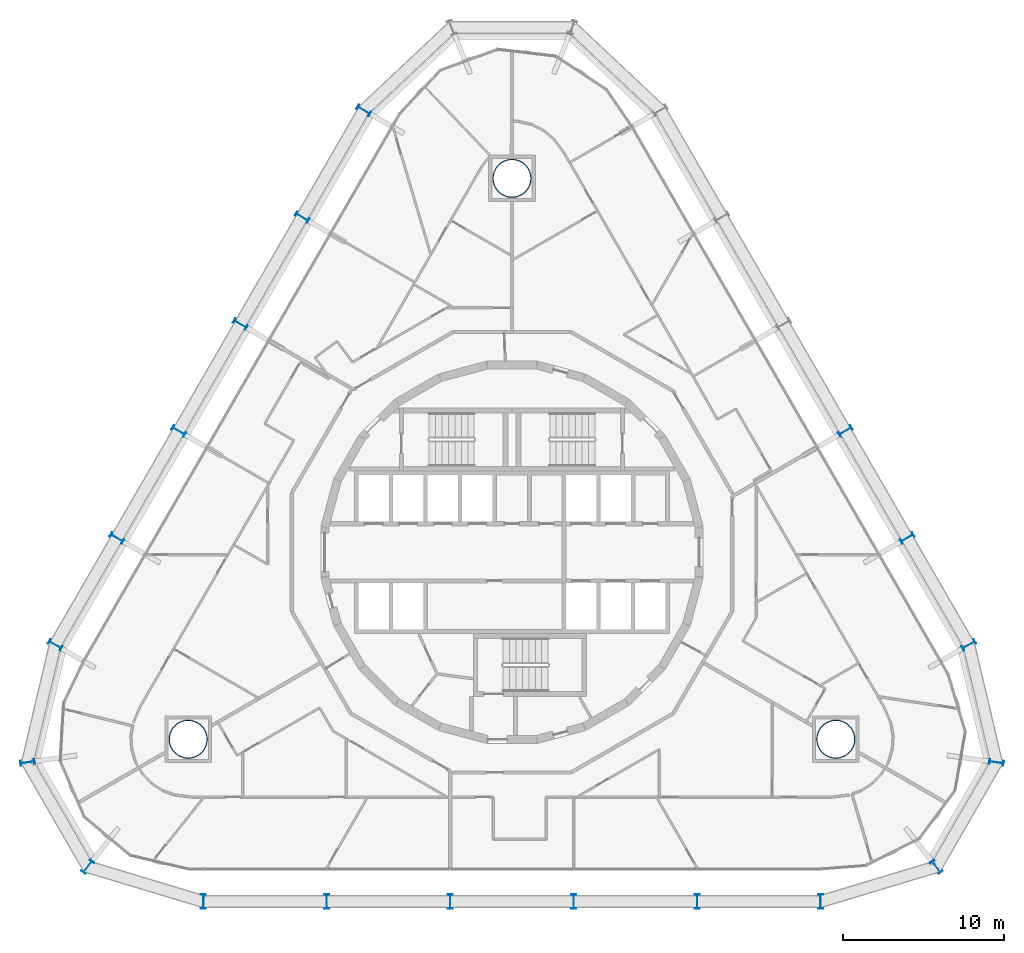
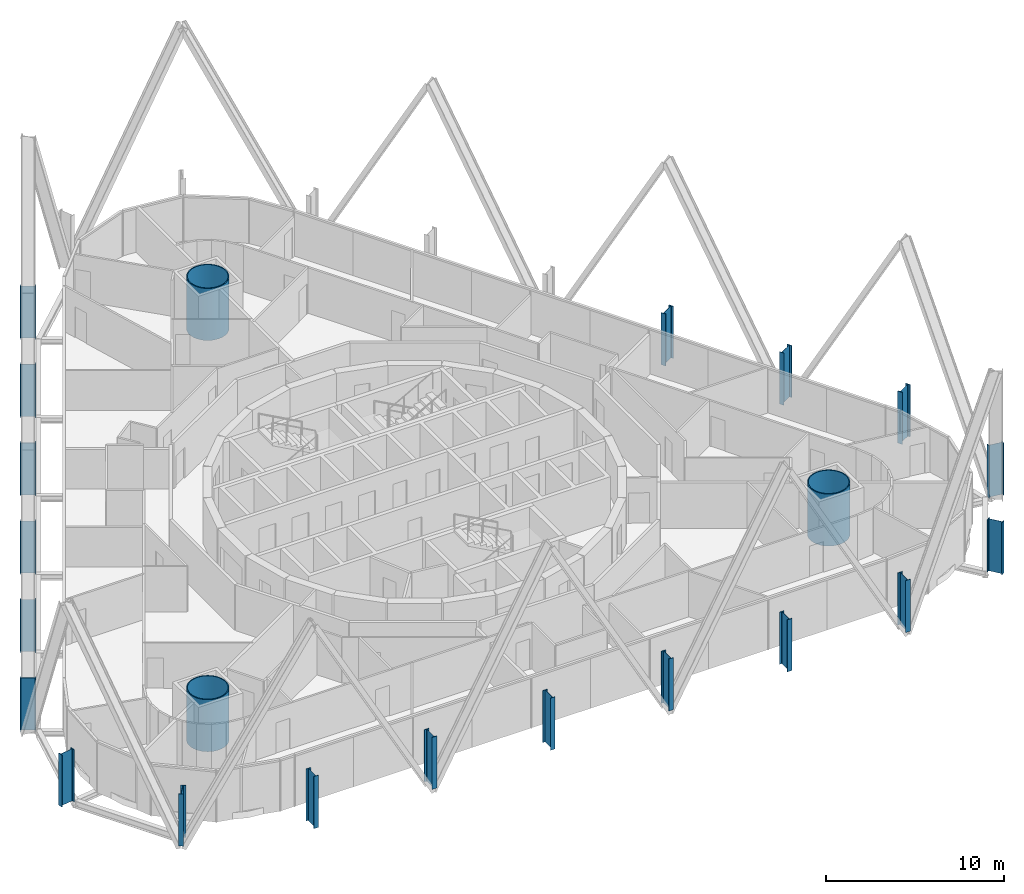
# One storey, part 1 of 21: 22 columns.
"""IFC4 building model written with IfcOpenShell, lengths in metres."""

from ifc_helpers import new_model, si_unit, direction, frame, origin, origin_2d, place, context, subcontext, project, spatial, hollow_circle, i_section, extrude, material, material_profile, profile_set, type_object, element, save


model = new_model("IFC4")

# Units and contexts
model_context = context("Model", 3, precision=1e-05, world=origin(), true_north=direction((0.0, 1.0)))
body_context = subcontext(model_context, "Body", "Model", "MODEL_VIEW")
ifc_project = project(units=[si_unit("LENGTHUNIT", "METRE"), si_unit("AREAUNIT", "SQUARE_METRE"), si_unit("VOLUMEUNIT", "CUBIC_METRE"), si_unit("PLANEANGLEUNIT", "RADIAN"), si_unit("MASSUNIT", "GRAM", prefix="KILO")], contexts=[model_context])

# Site, building, storey
site_placement = place(None, origin())
site = spatial("IfcSite", under=ifc_project, at=site_placement, CompositionType="ELEMENT")
building_placement = place(site_placement, origin())
building = spatial("IfcBuilding", under=site, at=building_placement, Name="Spindle Arch Residences", CompositionType="ELEMENT")
storey_placement = place(building_placement, frame((0.0, 0.0, 38.39990234375)))
storey = spatial("IfcBuildingStorey", under=building, at=storey_placement, Name="L07", CompositionType="ELEMENT", Elevation=38.39990234375)

# Columns
ifc_material_1 = material(Name="Steel S460ML, intumescent coating R 240", Category="steel")
ifc_material_profile_1 = material_profile(ifc_material_1, i_section(OverallWidth=0.300048828125, OverallDepth=0.89990234375, WebThickness=0.0185546875, FlangeThickness=0.034912109375, FilletRadius=0.030029296875, at=origin_2d()), Name="HEB 900")
ifc_profile_set_1 = profile_set([ifc_material_profile_1], Name="Steel S460ML, intumescent coating R 240")
column_type_1 = type_object("IfcColumnType", Name="Exoskeleton post HEB 900", PredefinedType="COLUMN", material=ifc_profile_set_1)
for number, where, z_axis, x_axis, name in (
    (1, (3.840087890625, -21.72998046875, -0.449951171875), (0.0, 0.0, 1.0), (-1.0, 0.0, 0.0), "Exoskeleton post 1"),
    (2, (11.52001953125, -21.72998046875, -0.449951171875), (0.0, 0.0, 1.0), (-1.0, 0.0, 0.0), "Exoskeleton post 2"),
    (3, (19.2001953125, -21.72998046875, -0.449951171875), (0.0, 0.0, 1.0), (-1.0, 0.0, 0.0), "Exoskeleton post 3"),
    (4, (26.3916015625, -19.565185546875, -0.449951171875), (0.0, 0.0, 1.0), (-0.7856835335, -0.618628632693, 0.0), "Exoskeleton post 4"),
    (5, (30.139892578125, -13.0732421875, -0.449951171875), (0.0, 0.0, 1.0), (-0.142906037553, -0.989736260036, 0.0), "Exoskeleton post 5"),
    (6, (28.418701171875, -5.762939453125, -0.449951171875), (0.0, 0.0, 1.0), (0.50000017485, -0.866025302835, 0.0), "Exoskeleton post 6"),
    (7, (24.57861328125, 0.88818359375, -0.449951171875), (0.0, 0.0, 1.0), (0.50000017485, -0.866025302835, 0.0), "Exoskeleton post 7"),
    (8, (20.73876953125, 7.539306640625, -0.449951171875), (0.0, 0.0, 1.0), (0.50000017485, -0.866025302835, 0.0), "Exoskeleton post 8"),
    (9, (-9.218505859375, 27.492919921875, -0.449951171875), (0.0, 0.0, 1.0), (0.50000017485, 0.866025302835, 0.0), "Exoskeleton post 14"),
    (10, (-13.05859375, 20.841796875, -0.449951171875), (0.0, 0.0, 1.0), (0.50000017485, 0.866025302835, 0.0), "Exoskeleton post 15"),
    (11, (-16.898681640625, 14.1904296875, -0.449951171875), (0.0, 0.0, 1.0), (0.50000017485, 0.866025302835, 0.0), "Exoskeleton post 16"),
    (12, (-20.73876953125, 7.539306640625, -0.449951171875), (0.0, 0.0, 1.0), (0.50000017485, 0.866025302835, 0.0), "Exoskeleton post 17"),
    (13, (-24.57861328125, 0.88818359375, -0.449951171875), (0.0, 0.0, 1.0), (0.50000017485, 0.866025302835, 0.0), "Exoskeleton post 18"),
    (14, (-28.418701171875, -5.762939453125, -0.449951171875), (0.0, 0.0, 1.0), (0.50000017485, 0.866025302835, 0.0), "Exoskeleton post 19"),
    (15, (-30.139892578125, -13.0732421875, -0.449951171875), (0.0, 0.0, 1.0), (-0.142906037553, 0.989736260036, 0.0), "Exoskeleton post 20"),
    (16, (-26.3916015625, -19.565185546875, -0.449951171875), (0.0, 0.0, 1.0), (-0.7856835335, 0.618628632693, 0.0), "Exoskeleton post 21"),
    (17, (-19.2001953125, -21.72998046875, -0.449951171875), (0.0, 0.0, 1.0), (-1.0, 0.0, 0.0), "Exoskeleton post 22"),
    (18, (-11.52001953125, -21.72998046875, -0.449951171875), (0.0, 0.0, 1.0), (-1.0, 0.0, 0.0), "Exoskeleton post 23"),
    (19, (-3.840087890625, -21.72998046875, -0.449951171875), (0.0, 0.0, 1.0), (-1.0, 0.0, 0.0), "Exoskeleton post 24"),
):
    element("IfcColumn", number, at=place(storey_placement, frame(where, z_axis=z_axis, x_axis=x_axis)), inside=storey, type_object=column_type_1, Name=name, PredefinedType="COLUMN", context=body_context, shape_type="SweptSolid", body=[
        extrude(i_section(OverallWidth=0.300048828125, OverallDepth=0.89990234375, WebThickness=0.0185546875, FlangeThickness=0.034912109375, FilletRadius=0.030029296875, at=origin_2d()), origin(), (0.0, 0.0, 1.0), 3.570068359375),
    ])
ifc_material_2 = material(Name="Concrete C50/60 filled steel tube S460ML, intumescent coating R 240", Category="concrete")
ifc_material_profile_2 = material_profile(ifc_material_2, hollow_circle(Radius=1.199951171875, WallThickness=0.06005859375, at=origin_2d()), Name="CFT D2400x60")
ifc_profile_set_2 = profile_set([ifc_material_profile_2], Name="Concrete C50/60 filled steel tube S460ML, intumescent coating R 240")
column_type_2 = type_object("IfcColumnType", Name="Mega-column CFT D2400x60", PredefinedType="COLUMN", material=ifc_profile_set_2)
for number, where, z_axis, x_axis, name in (
    (20, (20.1435546875, -11.6298828125, -0.449951171875), (0.0, 0.0, 1.0), (1.0, 0.0, 0.0), "Mega-column 1"),
    (21, (0.0, 23.259765625, -0.449951171875), (0.0, 0.0, 1.0), (1.0, 0.0, 0.0), "Mega-column 2"),
    (22, (-20.1435546875, -11.6298828125, -0.449951171875), (0.0, 0.0, 1.0), (1.0, 0.0, 0.0), "Mega-column 3"),
):
    element("IfcColumn", number, at=place(storey_placement, frame(where, z_axis=z_axis, x_axis=x_axis)), inside=storey, type_object=column_type_2, Name=name, PredefinedType="COLUMN", context=body_context, shape_type="SweptSolid", body=[
        extrude(hollow_circle(Radius=1.199951171875, WallThickness=0.06005859375, at=origin_2d()), origin(), (0.0, 0.0, 1.0), 3.570068359375),
    ])

save(model, "model.ifc")
